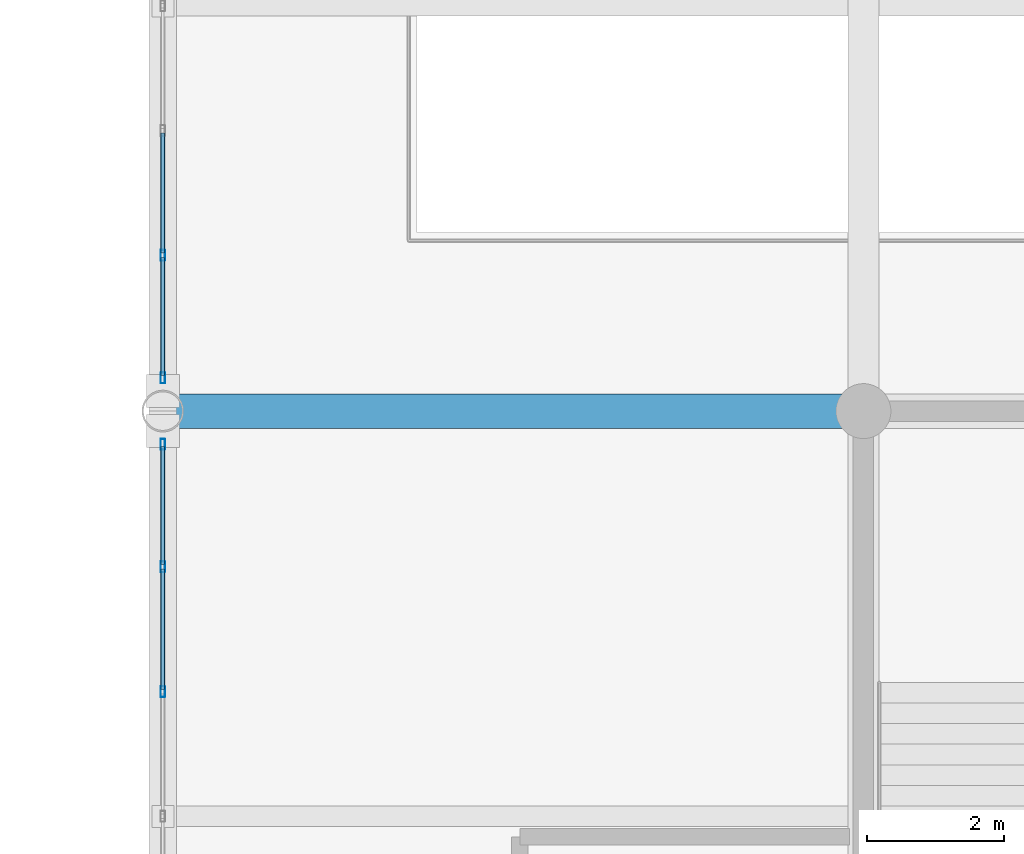
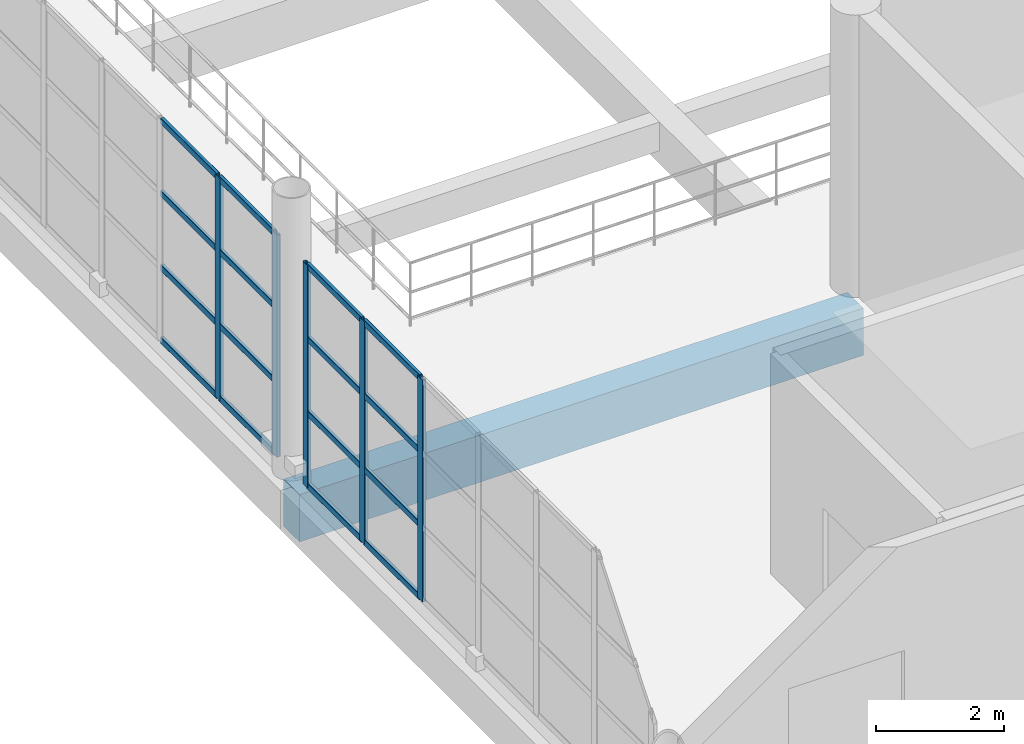
# One storey, part 52 of 175: 21 members, 1 beam, 2 elements without a shape of their own.
"""IFC4 building model written with IfcOpenShell, lengths in metres."""

from ifc_helpers import new_model, si_unit, direction, frame, origin, origin_2d, place, context, subcontext, project, spatial, rectangle, hollow_rectangle, extrude, material, material_profile, profile_set, type_object, element, aggregate, save


model = new_model("IFC4")

# Units and contexts
model_context = context("Model", 3, precision=1e-05, world=origin(), true_north=direction((0.0, 1.0)))
body_context = subcontext(model_context, "Body", "Model", "MODEL_VIEW")
ifc_project = project(units=[si_unit("LENGTHUNIT", "METRE"), si_unit("AREAUNIT", "SQUARE_METRE"), si_unit("VOLUMEUNIT", "CUBIC_METRE"), si_unit("PLANEANGLEUNIT", "RADIAN"), si_unit("MASSUNIT", "GRAM", prefix="KILO")], contexts=[model_context])

# Site, building, storey
site_placement = place(None, origin())
site = spatial("IfcSite", under=ifc_project, at=site_placement, CompositionType="ELEMENT")
building_placement = place(site_placement, origin())
building = spatial("IfcBuilding", under=site, at=building_placement, Name="Brelvane Convention Centre", CompositionType="ELEMENT")
storey_placement = place(building_placement, frame((0.0, 0.0, 5.39990234375)))
storey = spatial("IfcBuildingStorey", under=building, at=storey_placement, Name="L01", CompositionType="ELEMENT", Elevation=5.39990234375)

# Curtain wall, members
ifc_material_1 = material(Name="Anodised Aluminium Alloy 6063-T6", Category="aluminium")
curtain_wall_type = type_object("IfcCurtainWallType", Name="Curtain Wall CW-CONC", PredefinedType="USERDEFINED", material=ifc_material_1)
curtain_wall_1_placement = place(storey_placement, origin())
curtain_wall_1 = element("IfcCurtainWall", 1, at=curtain_wall_1_placement, inside=storey, type_object=curtain_wall_type, Name="Curtain Wall CW-CONC L01-GAL-ATRIUM-W-1", ObjectType="UNITISED", PredefinedType="USERDEFINED")
ifc_material_2 = material(Name="Anodised Aluminium Alloy 6063-T6", Category="aluminium")
ifc_material_profile_1 = material_profile(ifc_material_2, hollow_rectangle(XDim=0.06494140625, YDim=0.159912109375, WallThickness=0.00390625, InnerFilletRadius=0.00390625, OuterFilletRadius=0.008056640625, at=origin_2d()), Name="ALU-M 160x65x4.0")
ifc_profile_set_1 = profile_set([ifc_material_profile_1], Name="Anodised Aluminium Alloy 6063-T6")
member_type_1 = type_object("IfcMemberType", Name="Curtain Mullion CW-M3", PredefinedType="MULLION", material=ifc_profile_set_1)
member_1_placement = place(storey_placement, frame((142.800048828125, 48.316650390625, 0.0), z_axis=(0.0, 0.0, 1.0), x_axis=(-1.0, 0.0, 0.0)))
member_1 = element("IfcMember", 2, at=member_1_placement, type_object=member_type_1, Name="CW-CONC mullion 5", PredefinedType="MULLION", context=body_context, shape_type="SweptSolid", body=[
    extrude(hollow_rectangle(XDim=0.06494140625, YDim=0.159912109375, WallThickness=0.00390625, InnerFilletRadius=0.00390625, OuterFilletRadius=0.008056640625, at=origin_2d()), origin(), (0.0, 0.0, 1.0), 4.25),
])
member_2_placement = place(storey_placement, frame((142.800048828125, 50.13330078125, 0.0), z_axis=(0.0, 0.0, 1.0), x_axis=(-1.0, 0.0, 0.0)))
member_2 = element("IfcMember", 3, at=member_2_placement, type_object=member_type_1, Name="CW-CONC mullion 6", PredefinedType="MULLION", context=body_context, shape_type="SweptSolid", body=[
    extrude(hollow_rectangle(XDim=0.06494140625, YDim=0.159912109375, WallThickness=0.00390625, InnerFilletRadius=0.00390625, OuterFilletRadius=0.008056640625, at=origin_2d()), origin(), (0.0, 0.0, 1.0), 4.25),
])
member_3_placement = place(storey_placement, frame((142.800048828125, 51.91748046875, 0.0), z_axis=(0.0, 0.0, 1.0), x_axis=(-1.0, 0.0, 0.0)))
member_3 = element("IfcMember", 4, at=member_3_placement, type_object=member_type_1, Name="CW-CONC mullion 7", PredefinedType="MULLION", context=body_context, shape_type="SweptSolid", body=[
    extrude(hollow_rectangle(XDim=0.06494140625, YDim=0.159912109375, WallThickness=0.00390625, InnerFilletRadius=0.00390625, OuterFilletRadius=0.008056640625, at=origin_2d()), origin(), (0.0, 0.0, 1.0), 4.25),
])

curtain_wall_2_placement = place(storey_placement, origin())
curtain_wall_2 = element("IfcCurtainWall", 5, at=curtain_wall_2_placement, inside=storey, type_object=curtain_wall_type, Name="Curtain Wall CW-CONC L01-GAL-ATRIUM-W-2", ObjectType="UNITISED", PredefinedType="USERDEFINED")
member_4_placement = place(storey_placement, frame((142.800048828125, 52.882568359375, 0.0), z_axis=(0.0, 0.0, 1.0), x_axis=(-1.0, 0.0, 0.0)))
member_4 = element("IfcMember", 6, at=member_4_placement, type_object=member_type_1, Name="CW-CONC mullion 1", PredefinedType="MULLION", context=body_context, shape_type="SweptSolid", body=[
    extrude(hollow_rectangle(XDim=0.06494140625, YDim=0.159912109375, WallThickness=0.00390625, InnerFilletRadius=0.00390625, OuterFilletRadius=0.008056640625, at=origin_2d()), origin(), (0.0, 0.0, 1.0), 4.25),
])
member_5_placement = place(storey_placement, frame((142.800048828125, 54.666748046875, 0.0), z_axis=(0.0, 0.0, 1.0), x_axis=(-1.0, 0.0, 0.0)))
member_5 = element("IfcMember", 7, at=member_5_placement, type_object=member_type_1, Name="CW-CONC mullion 2", PredefinedType="MULLION", context=body_context, shape_type="SweptSolid", body=[
    extrude(hollow_rectangle(XDim=0.06494140625, YDim=0.159912109375, WallThickness=0.00390625, InnerFilletRadius=0.00390625, OuterFilletRadius=0.008056640625, at=origin_2d()), origin(), (0.0, 0.0, 1.0), 4.25),
])

# Member
ifc_material_3 = material(Name="Anodised Aluminium Alloy 6063-T6", Category="aluminium")
ifc_material_profile_2 = material_profile(ifc_material_3, hollow_rectangle(XDim=0.06005859375, YDim=0.1201171875, WallThickness=0.00390625, InnerFilletRadius=0.00390625, OuterFilletRadius=0.008056640625, at=origin_2d()), Name="ALU-T 120x60x4.0")
ifc_profile_set_2 = profile_set([ifc_material_profile_2], Name="Anodised Aluminium Alloy 6063-T6")
member_type_2 = type_object("IfcMemberType", Name="Curtain Transom CW-T3", PredefinedType="USERDEFINED", material=ifc_profile_set_2)
member_6_placement = place(storey_placement, frame((142.800048828125, 48.34912109375, 0.030029296875), z_axis=(0.0, 1.0, 0.0), x_axis=(-1.0, 0.0, 0.0)))
member_6 = element("IfcMember", 8, at=member_6_placement, type_object=member_type_2, Name="CW-CONC transom 5.1", ObjectType="TRANSOM", PredefinedType="USERDEFINED", context=body_context, shape_type="SweptSolid", body=[
    extrude(hollow_rectangle(XDim=0.06005859375, YDim=0.1201171875, WallThickness=0.00390625, InnerFilletRadius=0.00390625, OuterFilletRadius=0.008056640625, at=origin_2d()), origin(), (0.0, 0.0, 1.0), 1.751708984375),
])

member_7_placement = place(storey_placement, frame((142.800048828125, 48.34912109375, 1.416748046875), z_axis=(0.0, 1.0, 0.0), x_axis=(-1.0, 0.0, 0.0)))
member_7 = element("IfcMember", 9, at=member_7_placement, type_object=member_type_2, Name="CW-CONC transom 5.2", ObjectType="TRANSOM", PredefinedType="USERDEFINED", context=body_context, shape_type="SweptSolid", body=[
    extrude(hollow_rectangle(XDim=0.06005859375, YDim=0.1201171875, WallThickness=0.00390625, InnerFilletRadius=0.00390625, OuterFilletRadius=0.008056640625, at=origin_2d()), origin(), (0.0, 0.0, 1.0), 1.751708984375),
])

member_8_placement = place(storey_placement, frame((142.800048828125, 48.34912109375, 2.83349609375), z_axis=(0.0, 1.0, 0.0), x_axis=(-1.0, 0.0, 0.0)))
member_8 = element("IfcMember", 10, at=member_8_placement, type_object=member_type_2, Name="CW-CONC transom 5.3", ObjectType="TRANSOM", PredefinedType="USERDEFINED", context=body_context, shape_type="SweptSolid", body=[
    extrude(hollow_rectangle(XDim=0.06005859375, YDim=0.1201171875, WallThickness=0.00390625, InnerFilletRadius=0.00390625, OuterFilletRadius=0.008056640625, at=origin_2d()), origin(), (0.0, 0.0, 1.0), 1.751708984375),
])

member_9_placement = place(storey_placement, frame((142.800048828125, 48.34912109375, 4.22021484375), z_axis=(0.0, 1.0, 0.0), x_axis=(-1.0, 0.0, 0.0)))
member_9 = element("IfcMember", 11, at=member_9_placement, type_object=member_type_2, Name="CW-CONC transom 5.4", ObjectType="TRANSOM", PredefinedType="USERDEFINED", context=body_context, shape_type="SweptSolid", body=[
    extrude(hollow_rectangle(XDim=0.06005859375, YDim=0.1201171875, WallThickness=0.00390625, InnerFilletRadius=0.00390625, OuterFilletRadius=0.008056640625, at=origin_2d()), origin(), (0.0, 0.0, 1.0), 1.751708984375),
])

member_10_placement = place(storey_placement, frame((142.800048828125, 50.165771484375, 0.030029296875), z_axis=(0.0, 1.0, 0.0), x_axis=(-1.0, 0.0, 0.0)))
member_10 = element("IfcMember", 12, at=member_10_placement, type_object=member_type_2, Name="CW-CONC transom 6.1", ObjectType="TRANSOM", PredefinedType="USERDEFINED", context=body_context, shape_type="SweptSolid", body=[
    extrude(hollow_rectangle(XDim=0.06005859375, YDim=0.1201171875, WallThickness=0.00390625, InnerFilletRadius=0.00390625, OuterFilletRadius=0.008056640625, at=origin_2d()), origin(), (0.0, 0.0, 1.0), 1.71923828125),
])

member_11_placement = place(storey_placement, frame((142.800048828125, 50.165771484375, 1.416748046875), z_axis=(0.0, 1.0, 0.0), x_axis=(-1.0, 0.0, 0.0)))
member_11 = element("IfcMember", 13, at=member_11_placement, type_object=member_type_2, Name="CW-CONC transom 6.2", ObjectType="TRANSOM", PredefinedType="USERDEFINED", context=body_context, shape_type="SweptSolid", body=[
    extrude(hollow_rectangle(XDim=0.06005859375, YDim=0.1201171875, WallThickness=0.00390625, InnerFilletRadius=0.00390625, OuterFilletRadius=0.008056640625, at=origin_2d()), origin(), (0.0, 0.0, 1.0), 1.71923828125),
])

member_12_placement = place(storey_placement, frame((142.800048828125, 50.165771484375, 2.83349609375), z_axis=(0.0, 1.0, 0.0), x_axis=(-1.0, 0.0, 0.0)))
member_12 = element("IfcMember", 14, at=member_12_placement, type_object=member_type_2, Name="CW-CONC transom 6.3", ObjectType="TRANSOM", PredefinedType="USERDEFINED", context=body_context, shape_type="SweptSolid", body=[
    extrude(hollow_rectangle(XDim=0.06005859375, YDim=0.1201171875, WallThickness=0.00390625, InnerFilletRadius=0.00390625, OuterFilletRadius=0.008056640625, at=origin_2d()), origin(), (0.0, 0.0, 1.0), 1.71923828125),
])

member_13_placement = place(storey_placement, frame((142.800048828125, 50.165771484375, 4.22021484375), z_axis=(0.0, 1.0, 0.0), x_axis=(-1.0, 0.0, 0.0)))
member_13 = element("IfcMember", 15, at=member_13_placement, type_object=member_type_2, Name="CW-CONC transom 6.4", ObjectType="TRANSOM", PredefinedType="USERDEFINED", context=body_context, shape_type="SweptSolid", body=[
    extrude(hollow_rectangle(XDim=0.06005859375, YDim=0.1201171875, WallThickness=0.00390625, InnerFilletRadius=0.00390625, OuterFilletRadius=0.008056640625, at=origin_2d()), origin(), (0.0, 0.0, 1.0), 1.71923828125),
])

aggregate(curtain_wall_1, [member_1, member_2, member_3, member_6, member_7, member_8, member_9, member_10, member_11, member_12, member_13])

member_14_placement = place(storey_placement, frame((142.800048828125, 52.9150390625, 0.030029296875), z_axis=(0.0, 1.0, 0.0), x_axis=(-1.0, 0.0, 0.0)))
member_14 = element("IfcMember", 16, at=member_14_placement, type_object=member_type_2, Name="CW-CONC transom 1.1", ObjectType="TRANSOM", PredefinedType="USERDEFINED", context=body_context, shape_type="SweptSolid", body=[
    extrude(hollow_rectangle(XDim=0.06005859375, YDim=0.1201171875, WallThickness=0.00390625, InnerFilletRadius=0.00390625, OuterFilletRadius=0.008056640625, at=origin_2d()), origin(), (0.0, 0.0, 1.0), 1.71923828125),
])

member_15_placement = place(storey_placement, frame((142.800048828125, 52.9150390625, 1.416748046875), z_axis=(0.0, 1.0, 0.0), x_axis=(-1.0, 0.0, 0.0)))
member_15 = element("IfcMember", 17, at=member_15_placement, type_object=member_type_2, Name="CW-CONC transom 1.2", ObjectType="TRANSOM", PredefinedType="USERDEFINED", context=body_context, shape_type="SweptSolid", body=[
    extrude(hollow_rectangle(XDim=0.06005859375, YDim=0.1201171875, WallThickness=0.00390625, InnerFilletRadius=0.00390625, OuterFilletRadius=0.008056640625, at=origin_2d()), origin(), (0.0, 0.0, 1.0), 1.71923828125),
])

member_16_placement = place(storey_placement, frame((142.800048828125, 52.9150390625, 2.83349609375), z_axis=(0.0, 1.0, 0.0), x_axis=(-1.0, 0.0, 0.0)))
member_16 = element("IfcMember", 18, at=member_16_placement, type_object=member_type_2, Name="CW-CONC transom 1.3", ObjectType="TRANSOM", PredefinedType="USERDEFINED", context=body_context, shape_type="SweptSolid", body=[
    extrude(hollow_rectangle(XDim=0.06005859375, YDim=0.1201171875, WallThickness=0.00390625, InnerFilletRadius=0.00390625, OuterFilletRadius=0.008056640625, at=origin_2d()), origin(), (0.0, 0.0, 1.0), 1.71923828125),
])

member_17_placement = place(storey_placement, frame((142.800048828125, 52.9150390625, 4.22021484375), z_axis=(0.0, 1.0, 0.0), x_axis=(-1.0, 0.0, 0.0)))
member_17 = element("IfcMember", 19, at=member_17_placement, type_object=member_type_2, Name="CW-CONC transom 1.4", ObjectType="TRANSOM", PredefinedType="USERDEFINED", context=body_context, shape_type="SweptSolid", body=[
    extrude(hollow_rectangle(XDim=0.06005859375, YDim=0.1201171875, WallThickness=0.00390625, InnerFilletRadius=0.00390625, OuterFilletRadius=0.008056640625, at=origin_2d()), origin(), (0.0, 0.0, 1.0), 1.71923828125),
])

member_18_placement = place(storey_placement, frame((142.800048828125, 54.69921875, 0.030029296875), z_axis=(0.0, 1.0, 0.0), x_axis=(-1.0, 0.0, 0.0)))
member_18 = element("IfcMember", 20, at=member_18_placement, type_object=member_type_2, Name="CW-CONC transom 2.1", ObjectType="TRANSOM", PredefinedType="USERDEFINED", context=body_context, shape_type="SweptSolid", body=[
    extrude(hollow_rectangle(XDim=0.06005859375, YDim=0.1201171875, WallThickness=0.00390625, InnerFilletRadius=0.00390625, OuterFilletRadius=0.008056640625, at=origin_2d()), origin(), (0.0, 0.0, 1.0), 1.751708984375),
])

member_19_placement = place(storey_placement, frame((142.800048828125, 54.69921875, 1.416748046875), z_axis=(0.0, 1.0, 0.0), x_axis=(-1.0, 0.0, 0.0)))
member_19 = element("IfcMember", 21, at=member_19_placement, type_object=member_type_2, Name="CW-CONC transom 2.2", ObjectType="TRANSOM", PredefinedType="USERDEFINED", context=body_context, shape_type="SweptSolid", body=[
    extrude(hollow_rectangle(XDim=0.06005859375, YDim=0.1201171875, WallThickness=0.00390625, InnerFilletRadius=0.00390625, OuterFilletRadius=0.008056640625, at=origin_2d()), origin(), (0.0, 0.0, 1.0), 1.751708984375),
])

member_20_placement = place(storey_placement, frame((142.800048828125, 54.69921875, 2.83349609375), z_axis=(0.0, 1.0, 0.0), x_axis=(-1.0, 0.0, 0.0)))
member_20 = element("IfcMember", 22, at=member_20_placement, type_object=member_type_2, Name="CW-CONC transom 2.3", ObjectType="TRANSOM", PredefinedType="USERDEFINED", context=body_context, shape_type="SweptSolid", body=[
    extrude(hollow_rectangle(XDim=0.06005859375, YDim=0.1201171875, WallThickness=0.00390625, InnerFilletRadius=0.00390625, OuterFilletRadius=0.008056640625, at=origin_2d()), origin(), (0.0, 0.0, 1.0), 1.751708984375),
])

member_21_placement = place(storey_placement, frame((142.800048828125, 54.69921875, 4.22021484375), z_axis=(0.0, 1.0, 0.0), x_axis=(-1.0, 0.0, 0.0)))
member_21 = element("IfcMember", 23, at=member_21_placement, type_object=member_type_2, Name="CW-CONC transom 2.4", ObjectType="TRANSOM", PredefinedType="USERDEFINED", context=body_context, shape_type="SweptSolid", body=[
    extrude(hollow_rectangle(XDim=0.06005859375, YDim=0.1201171875, WallThickness=0.00390625, InnerFilletRadius=0.00390625, OuterFilletRadius=0.008056640625, at=origin_2d()), origin(), (0.0, 0.0, 1.0), 1.751708984375),
])

aggregate(curtain_wall_2, [member_4, member_5, member_14, member_15, member_16, member_17, member_18, member_19, member_20, member_21])

# Beam
ifc_material_4 = material(Name="Concrete M40", Category="concrete")
ifc_material_profile_3 = material_profile(ifc_material_4, rectangle(XDim=0.5, YDim=0.89990234375, at=origin_2d()), Name="RC 500x900")
ifc_profile_set_3 = profile_set([ifc_material_profile_3], Name="Concrete M40")
beam_type = type_object("IfcBeamType", Name="RC Beam B-RC4 (RC 500x900)", PredefinedType="BEAM", material=ifc_profile_set_3)
beam_placement = place(storey_placement, frame((142.800048828125, 52.39990234375, -0.77978515625), z_axis=(1.0, 0.0, 0.0), x_axis=(0.0, 1.0, 0.0)))
element("IfcBeam", 24, at=beam_placement, inside=storey, type_object=beam_type, Name="L01 Beam 15-16/F", PredefinedType="BEAM", context=body_context, shape_type="SweptSolid", body=[
    extrude(rectangle(XDim=0.5, YDim=0.89990234375, at=origin_2d()), origin(), (0.0, 0.0, 1.0), 10.199951171875),
])

save(model, "model.ifc")
